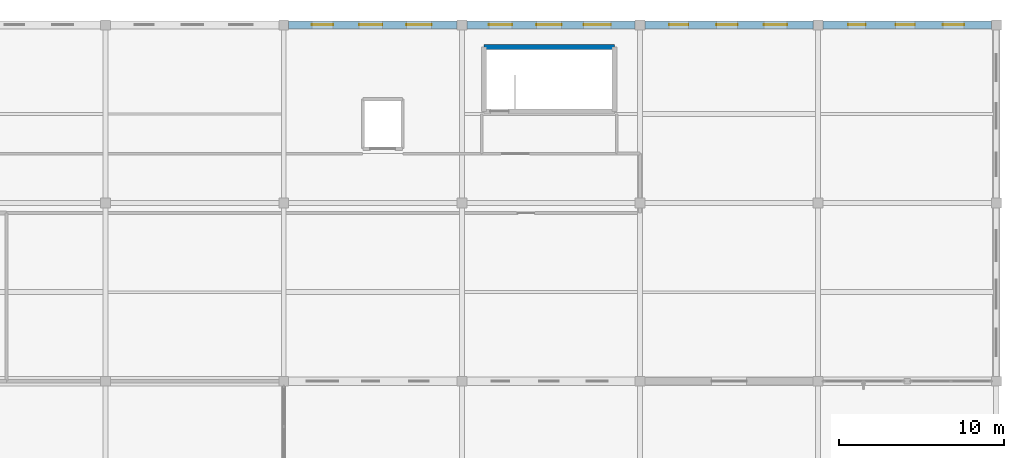
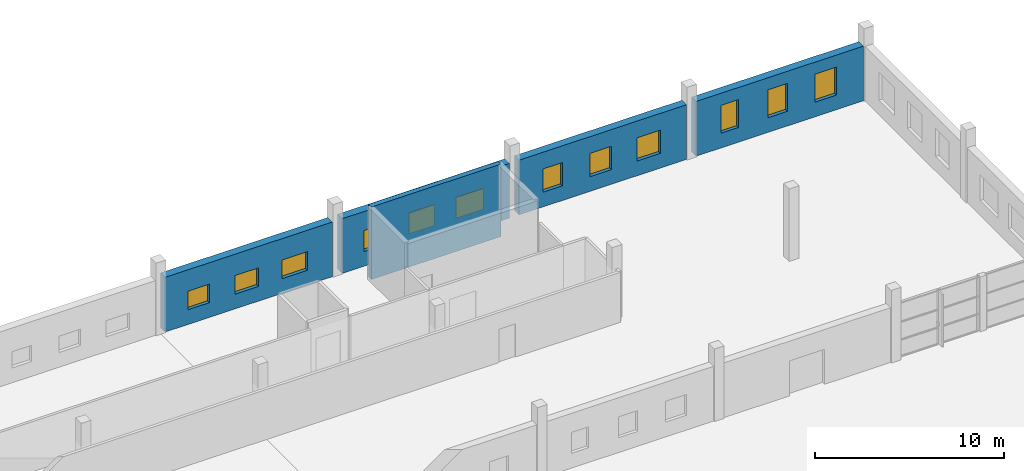
# One storey, part 119 of 142: 12 windows, 5 walls, 12 openings.
"""IFC4 building model written with IfcOpenShell, lengths in metres."""

from ifc_helpers import new_model, si_unit, direction, frame, frame_2d, origin, place, context, subcontext, project, spatial, rectangle, extrude, material, layer, layer_set, type_object, element, fill, save


model = new_model("IFC4")

# Units and contexts
model_context = context("Model", 3, precision=1e-05, world=origin(), true_north=direction((0.0, 1.0)))
body_context = subcontext(model_context, "Body", "Model", "MODEL_VIEW")
ifc_project = project(units=[si_unit("LENGTHUNIT", "METRE"), si_unit("AREAUNIT", "SQUARE_METRE"), si_unit("VOLUMEUNIT", "CUBIC_METRE"), si_unit("PLANEANGLEUNIT", "RADIAN"), si_unit("MASSUNIT", "GRAM", prefix="KILO")], contexts=[model_context])

# Site, building, storey
site_placement = place(None, origin())
site = spatial("IfcSite", under=ifc_project, at=site_placement, CompositionType="ELEMENT")
building_placement = place(site_placement, origin())
building = spatial("IfcBuilding", under=site, at=building_placement, Name="Zwinboog Wholesale Market", CompositionType="ELEMENT")
storey_placement = place(building_placement, frame((0.0, 0.0, 5.39990234375)))
storey = spatial("IfcBuildingStorey", under=building, at=storey_placement, Name="L01", CompositionType="ELEMENT", Elevation=5.39990234375)

# Wall, openings, windows
ifc_material_1 = material(Name="Precast concrete C45/55", Category="concrete")
ifc_layer_1 = layer(ifc_material_1, 0.47998046875)
ifc_layer_set_1 = layer_set([ifc_layer_1], Name="Precast concrete C45/55")
wall_type_1 = type_object("IfcWallType", Name="WT-EW-480", PredefinedType="STANDARD", material=ifc_layer_set_1)
wall_1_placement = place(storey_placement, frame((173.094970703125, 129.60009765625, 0.0), z_axis=(0.0, 0.0, 1.0), x_axis=(1.0, 0.0, 0.0)))
wall_1 = element("IfcWall", 1, at=wall_1_placement, inside=storey, type_object=wall_type_1, Name="EW-06 (WL-EW-L01-173)", PredefinedType="STANDARD", context=body_context, shape_type="SweptSolid", body=[
    extrude(rectangle(XDim=10.2099609375, YDim=0.47998046875, at=frame_2d((5.10498046875, 0.0))), origin(), (0.0, 0.0, 1.0), 3.530029296875),
])
opening_1_placement = place(wall_1_placement, frame((1.405029296875, 0.0, 0.949951171875)))
opening_1 = element("IfcOpeningElement", 2, at=opening_1_placement, cuts=wall_1, Name="Opening WN-19", PredefinedType="OPENING", context=body_context, shape_type="SweptSolid", body=[
    extrude(rectangle(XDim=1.2900390625, YDim=1.199951171875, at=frame_2d((0.64501953125, 0.60009765625))), frame((0.0, 0.25, 0.0), z_axis=(0.0, -1.0, 0.0), x_axis=(1.0, 0.0, 0.0)), (0.0, 0.0, 1.0), 0.5),
])
opening_2_placement = place(wall_1_placement, frame((4.27490234375, 0.0, 0.949951171875)))
opening_2 = element("IfcOpeningElement", 3, at=opening_2_placement, cuts=wall_1, Name="Opening WN-20", PredefinedType="OPENING", context=body_context, shape_type="SweptSolid", body=[
    extrude(rectangle(XDim=1.409912109375, YDim=1.199951171875, at=frame_2d((0.705078125, 0.60009765625))), frame((0.0, 0.25, 0.0), z_axis=(0.0, -1.0, 0.0), x_axis=(1.0, 0.0, 0.0)), (0.0, 0.0, 1.0), 0.5),
])
opening_3_placement = place(wall_1_placement, frame((7.14501953125, 0.0, 0.949951171875)))
opening_3 = element("IfcOpeningElement", 4, at=opening_3_placement, cuts=wall_1, Name="Opening WN-21", PredefinedType="OPENING", context=body_context, shape_type="SweptSolid", body=[
    extrude(rectangle(XDim=1.530029296875, YDim=1.199951171875, at=frame_2d((0.76513671875, 0.60009765625))), frame((0.0, 0.25, 0.0), z_axis=(0.0, -1.0, 0.0), x_axis=(1.0, 0.0, 0.0)), (0.0, 0.0, 1.0), 0.5),
])
ifc_material_2 = material(Name="Thermally broken aluminium low-e window", Category="aluminium")
window_type_1 = type_object("IfcWindowType", Name="WNT-19", PartitioningType="SINGLE_PANEL", PredefinedType="WINDOW", material=ifc_material_2)
window_1_placement = place(opening_1_placement, origin())
window_1 = element("IfcWindow", 5, at=window_1_placement, inside=storey, type_object=window_type_1, Name="WN-19 (WIN-L01-0163)", OverallHeight=1.199951171875, OverallWidth=1.2900390625, PartitioningType="SINGLE_PANEL", PredefinedType="WINDOW", context=body_context, shape_type="SweptSolid", body=[
    extrude(rectangle(XDim=1.2900390625, YDim=1.199951171875, at=frame_2d((0.64501953125, 0.60009765625))), frame((0.0, 0.030029296875, 0.0), z_axis=(0.0, -1.0, 0.0), x_axis=(1.0, 0.0, 0.0)), (0.0, 0.0, 1.0), 0.06005859375),
])
fill(opening_1, window_1)
window_type_2 = type_object("IfcWindowType", Name="WNT-20", PartitioningType="SINGLE_PANEL", PredefinedType="WINDOW", material=ifc_material_2)
window_2_placement = place(opening_2_placement, origin())
window_2 = element("IfcWindow", 6, at=window_2_placement, inside=storey, type_object=window_type_2, Name="WN-20 (WIN-L01-0164)", OverallHeight=1.199951171875, OverallWidth=1.409912109375, PartitioningType="SINGLE_PANEL", PredefinedType="WINDOW", context=body_context, shape_type="SweptSolid", body=[
    extrude(rectangle(XDim=1.409912109375, YDim=1.199951171875, at=frame_2d((0.705078125, 0.60009765625))), frame((0.0, 0.030029296875, 0.0), z_axis=(0.0, -1.0, 0.0), x_axis=(1.0, 0.0, 0.0)), (0.0, 0.0, 1.0), 0.06005859375),
])
fill(opening_2, window_2)
window_type_3 = type_object("IfcWindowType", Name="WNT-21", PartitioningType="SINGLE_PANEL", PredefinedType="WINDOW", material=ifc_material_2)
window_3_placement = place(opening_3_placement, origin())
window_3 = element("IfcWindow", 7, at=window_3_placement, inside=storey, type_object=window_type_3, Name="WN-21 (WIN-L01-0165)", OverallHeight=1.199951171875, OverallWidth=1.530029296875, PartitioningType="SINGLE_PANEL", PredefinedType="WINDOW", context=body_context, shape_type="SweptSolid", body=[
    extrude(rectangle(XDim=1.530029296875, YDim=1.199951171875, at=frame_2d((0.76513671875, 0.60009765625))), frame((0.0, 0.030029296875, 0.0), z_axis=(0.0, -1.0, 0.0), x_axis=(1.0, 0.0, 0.0)), (0.0, 0.0, 1.0), 0.06005859375),
])
fill(opening_3, window_3)

wall_2_placement = place(storey_placement, frame((183.89501953125, 129.60009765625, 0.0), z_axis=(0.0, 0.0, 1.0), x_axis=(1.0, 0.0, 0.0)))
wall_2 = element("IfcWall", 8, at=wall_2_placement, inside=storey, type_object=wall_type_1, Name="EW-06 (WL-EW-L01-177)", PredefinedType="STANDARD", context=body_context, shape_type="SweptSolid", body=[
    extrude(rectangle(XDim=10.2099609375, YDim=0.47998046875, at=frame_2d((5.10498046875, 0.0))), origin(), (0.0, 0.0, 1.0), 3.530029296875),
])
opening_4_placement = place(wall_2_placement, frame((1.344970703125, 0.0, 0.949951171875)))
opening_4 = element("IfcOpeningElement", 9, at=opening_4_placement, cuts=wall_2, Name="Opening WN-28", PredefinedType="OPENING", context=body_context, shape_type="SweptSolid", body=[
    extrude(rectangle(XDim=1.409912109375, YDim=1.35009765625, at=frame_2d((0.705078125, 0.675048828125))), frame((0.0, 0.25, 0.0), z_axis=(0.0, -1.0, 0.0), x_axis=(1.0, 0.0, 0.0)), (0.0, 0.0, 1.0), 0.5),
])
opening_5_placement = place(wall_2_placement, frame((4.215087890625, 0.0, 0.949951171875)))
opening_5 = element("IfcOpeningElement", 10, at=opening_5_placement, cuts=wall_2, Name="Opening WN-29", PredefinedType="OPENING", context=body_context, shape_type="SweptSolid", body=[
    extrude(rectangle(XDim=1.530029296875, YDim=1.35009765625, at=frame_2d((0.76513671875, 0.675048828125))), frame((0.0, 0.25, 0.0), z_axis=(0.0, -1.0, 0.0), x_axis=(1.0, 0.0, 0.0)), (0.0, 0.0, 1.0), 0.5),
])
opening_6_placement = place(wall_2_placement, frame((7.0849609375, 0.0, 0.949951171875)))
opening_6 = element("IfcOpeningElement", 11, at=opening_6_placement, cuts=wall_2, Name="Opening WN-30", PredefinedType="OPENING", context=body_context, shape_type="SweptSolid", body=[
    extrude(rectangle(XDim=1.64990234375, YDim=1.35009765625, at=frame_2d((0.824951171875, 0.675048828125))), frame((0.0, 0.25, 0.0), z_axis=(0.0, -1.0, 0.0), x_axis=(1.0, 0.0, 0.0)), (0.0, 0.0, 1.0), 0.5),
])
window_type_4 = type_object("IfcWindowType", Name="WNT-28", PartitioningType="SINGLE_PANEL", PredefinedType="WINDOW", material=ifc_material_2)
window_4_placement = place(opening_4_placement, origin())
window_4 = element("IfcWindow", 12, at=window_4_placement, inside=storey, type_object=window_type_4, Name="WN-28 (WIN-L01-0172)", OverallHeight=1.35009765625, OverallWidth=1.409912109375, PartitioningType="SINGLE_PANEL", PredefinedType="WINDOW", context=body_context, shape_type="SweptSolid", body=[
    extrude(rectangle(XDim=1.409912109375, YDim=1.35009765625, at=frame_2d((0.705078125, 0.675048828125))), frame((0.0, 0.030029296875, 0.0), z_axis=(0.0, -1.0, 0.0), x_axis=(1.0, 0.0, 0.0)), (0.0, 0.0, 1.0), 0.06005859375),
])
fill(opening_4, window_4)
window_type_5 = type_object("IfcWindowType", Name="WNT-29", PartitioningType="SINGLE_PANEL", PredefinedType="WINDOW", material=ifc_material_2)
window_5_placement = place(opening_5_placement, origin())
window_5 = element("IfcWindow", 13, at=window_5_placement, inside=storey, type_object=window_type_5, Name="WN-29 (WIN-L01-0173)", OverallHeight=1.35009765625, OverallWidth=1.530029296875, PartitioningType="SINGLE_PANEL", PredefinedType="WINDOW", context=body_context, shape_type="SweptSolid", body=[
    extrude(rectangle(XDim=1.530029296875, YDim=1.35009765625, at=frame_2d((0.76513671875, 0.675048828125))), frame((0.0, 0.030029296875, 0.0), z_axis=(0.0, -1.0, 0.0), x_axis=(1.0, 0.0, 0.0)), (0.0, 0.0, 1.0), 0.06005859375),
])
fill(opening_5, window_5)
window_type_6 = type_object("IfcWindowType", Name="WNT-30", PartitioningType="SINGLE_PANEL", PredefinedType="WINDOW", material=ifc_material_2)
window_6_placement = place(opening_6_placement, origin())
window_6 = element("IfcWindow", 14, at=window_6_placement, inside=storey, type_object=window_type_6, Name="WN-30 (WIN-L01-0174)", OverallHeight=1.35009765625, OverallWidth=1.64990234375, PartitioningType="SINGLE_PANEL", PredefinedType="WINDOW", context=body_context, shape_type="SweptSolid", body=[
    extrude(rectangle(XDim=1.64990234375, YDim=1.35009765625, at=frame_2d((0.824951171875, 0.675048828125))), frame((0.0, 0.030029296875, 0.0), z_axis=(0.0, -1.0, 0.0), x_axis=(1.0, 0.0, 0.0)), (0.0, 0.0, 1.0), 0.06005859375),
])
fill(opening_6, window_6)

wall_3_placement = place(storey_placement, frame((194.695068359375, 129.60009765625, 0.0), z_axis=(0.0, 0.0, 1.0), x_axis=(1.0, 0.0, 0.0)))
wall_3 = element("IfcWall", 15, at=wall_3_placement, inside=storey, type_object=wall_type_1, Name="EW-06 (WL-EW-L01-181)", PredefinedType="STANDARD", context=body_context, shape_type="SweptSolid", body=[
    extrude(rectangle(XDim=10.2099609375, YDim=0.47998046875, at=frame_2d((5.10498046875, 0.0))), origin(), (0.0, 0.0, 1.0), 3.530029296875),
])
opening_7_placement = place(wall_3_placement, frame((1.465087890625, 0.0, 0.949951171875)))
opening_7 = element("IfcOpeningElement", 16, at=opening_7_placement, cuts=wall_3, Name="Opening WN-34", PredefinedType="OPENING", context=body_context, shape_type="SweptSolid", body=[
    extrude(rectangle(XDim=1.169921875, YDim=1.5, at=frame_2d((0.5849609375, 0.75))), frame((0.0, 0.25, 0.0), z_axis=(0.0, -1.0, 0.0), x_axis=(1.0, 0.0, 0.0)), (0.0, 0.0, 1.0), 0.5),
])
opening_8_placement = place(wall_3_placement, frame((4.3349609375, 0.0, 0.949951171875)))
opening_8 = element("IfcOpeningElement", 17, at=opening_8_placement, cuts=wall_3, Name="Opening WN-35", PredefinedType="OPENING", context=body_context, shape_type="SweptSolid", body=[
    extrude(rectangle(XDim=1.2900390625, YDim=1.5, at=frame_2d((0.64501953125, 0.75))), frame((0.0, 0.25, 0.0), z_axis=(0.0, -1.0, 0.0), x_axis=(1.0, 0.0, 0.0)), (0.0, 0.0, 1.0), 0.5),
])
opening_9_placement = place(wall_3_placement, frame((7.205078125, 0.0, 0.949951171875)))
opening_9 = element("IfcOpeningElement", 18, at=opening_9_placement, cuts=wall_3, Name="Opening WN-36", PredefinedType="OPENING", context=body_context, shape_type="SweptSolid", body=[
    extrude(rectangle(XDim=1.409912109375, YDim=1.5, at=frame_2d((0.705078125, 0.75))), frame((0.0, 0.25, 0.0), z_axis=(0.0, -1.0, 0.0), x_axis=(1.0, 0.0, 0.0)), (0.0, 0.0, 1.0), 0.5),
])
window_type_7 = type_object("IfcWindowType", Name="WNT-34", PartitioningType="SINGLE_PANEL", PredefinedType="WINDOW", material=ifc_material_2)
window_7_placement = place(opening_7_placement, origin())
window_7 = element("IfcWindow", 19, at=window_7_placement, inside=storey, type_object=window_type_7, Name="WN-34 (WIN-L01-0178)", OverallHeight=1.5, OverallWidth=1.169921875, PartitioningType="SINGLE_PANEL", PredefinedType="WINDOW", context=body_context, shape_type="SweptSolid", body=[
    extrude(rectangle(XDim=1.169921875, YDim=1.5, at=frame_2d((0.5849609375, 0.75))), frame((0.0, 0.030029296875, 0.0), z_axis=(0.0, -1.0, 0.0), x_axis=(1.0, 0.0, 0.0)), (0.0, 0.0, 1.0), 0.06005859375),
])
fill(opening_7, window_7)
window_type_8 = type_object("IfcWindowType", Name="WNT-35", PartitioningType="SINGLE_PANEL", PredefinedType="WINDOW", material=ifc_material_2)
window_8_placement = place(opening_8_placement, origin())
window_8 = element("IfcWindow", 20, at=window_8_placement, inside=storey, type_object=window_type_8, Name="WN-35 (WIN-L01-0179)", OverallHeight=1.5, OverallWidth=1.2900390625, PartitioningType="SINGLE_PANEL", PredefinedType="WINDOW", context=body_context, shape_type="SweptSolid", body=[
    extrude(rectangle(XDim=1.2900390625, YDim=1.5, at=frame_2d((0.64501953125, 0.75))), frame((0.0, 0.030029296875, 0.0), z_axis=(0.0, -1.0, 0.0), x_axis=(1.0, 0.0, 0.0)), (0.0, 0.0, 1.0), 0.06005859375),
])
fill(opening_8, window_8)
window_type_9 = type_object("IfcWindowType", Name="WNT-36", PartitioningType="SINGLE_PANEL", PredefinedType="WINDOW", material=ifc_material_2)
window_9_placement = place(opening_9_placement, origin())
window_9 = element("IfcWindow", 21, at=window_9_placement, inside=storey, type_object=window_type_9, Name="WN-36 (WIN-L01-0180)", OverallHeight=1.5, OverallWidth=1.409912109375, PartitioningType="SINGLE_PANEL", PredefinedType="WINDOW", context=body_context, shape_type="SweptSolid", body=[
    extrude(rectangle(XDim=1.409912109375, YDim=1.5, at=frame_2d((0.705078125, 0.75))), frame((0.0, 0.030029296875, 0.0), z_axis=(0.0, -1.0, 0.0), x_axis=(1.0, 0.0, 0.0)), (0.0, 0.0, 1.0), 0.06005859375),
])
fill(opening_9, window_9)

wall_4_placement = place(storey_placement, frame((205.4951171875, 129.60009765625, 0.0), z_axis=(0.0, 0.0, 1.0), x_axis=(1.0, 0.0, 0.0)))
wall_4 = element("IfcWall", 22, at=wall_4_placement, inside=storey, type_object=wall_type_1, Name="EW-06 (WL-EW-L01-189)", PredefinedType="STANDARD", context=body_context, shape_type="SweptSolid", body=[
    extrude(rectangle(XDim=10.2099609375, YDim=0.47998046875, at=frame_2d((5.10498046875, 0.0))), origin(), (0.0, 0.0, 1.0), 3.530029296875),
])
opening_10_placement = place(wall_4_placement, frame((1.52490234375, 0.0, 0.949951171875)))
opening_10 = element("IfcOpeningElement", 23, at=opening_10_placement, cuts=wall_4, Name="Opening WN-49", PredefinedType="OPENING", context=body_context, shape_type="SweptSolid", body=[
    extrude(rectangle(XDim=1.050048828125, YDim=1.800048828125, at=frame_2d((0.52490234375, 0.89990234375))), frame((0.0, 0.25, 0.0), z_axis=(0.0, -1.0, 0.0), x_axis=(1.0, 0.0, 0.0)), (0.0, 0.0, 1.0), 0.5),
])
opening_11_placement = place(wall_4_placement, frame((4.39501953125, 0.0, 0.949951171875)))
opening_11 = element("IfcOpeningElement", 24, at=opening_11_placement, cuts=wall_4, Name="Opening WN-50", PredefinedType="OPENING", context=body_context, shape_type="SweptSolid", body=[
    extrude(rectangle(XDim=1.169921875, YDim=1.800048828125, at=frame_2d((0.5849609375, 0.89990234375))), frame((0.0, 0.25, 0.0), z_axis=(0.0, -1.0, 0.0), x_axis=(1.0, 0.0, 0.0)), (0.0, 0.0, 1.0), 0.5),
])
opening_12_placement = place(wall_4_placement, frame((7.264892578125, 0.0, 0.949951171875)))
opening_12 = element("IfcOpeningElement", 25, at=opening_12_placement, cuts=wall_4, Name="Opening WN-51", PredefinedType="OPENING", context=body_context, shape_type="SweptSolid", body=[
    extrude(rectangle(XDim=1.2900390625, YDim=1.800048828125, at=frame_2d((0.64501953125, 0.89990234375))), frame((0.0, 0.25, 0.0), z_axis=(0.0, -1.0, 0.0), x_axis=(1.0, 0.0, 0.0)), (0.0, 0.0, 1.0), 0.5),
])
window_type_10 = type_object("IfcWindowType", Name="WNT-49", PartitioningType="SINGLE_PANEL", PredefinedType="WINDOW", material=ifc_material_2)
window_10_placement = place(opening_10_placement, origin())
window_10 = element("IfcWindow", 26, at=window_10_placement, inside=storey, type_object=window_type_10, Name="WN-49 (WIN-L01-0193)", OverallHeight=1.800048828125, OverallWidth=1.050048828125, PartitioningType="SINGLE_PANEL", PredefinedType="WINDOW", context=body_context, shape_type="SweptSolid", body=[
    extrude(rectangle(XDim=1.050048828125, YDim=1.800048828125, at=frame_2d((0.52490234375, 0.89990234375))), frame((0.0, 0.030029296875, 0.0), z_axis=(0.0, -1.0, 0.0), x_axis=(1.0, 0.0, 0.0)), (0.0, 0.0, 1.0), 0.06005859375),
])
fill(opening_10, window_10)
window_type_11 = type_object("IfcWindowType", Name="WNT-50", PartitioningType="SINGLE_PANEL", PredefinedType="WINDOW", material=ifc_material_2)
window_11_placement = place(opening_11_placement, origin())
window_11 = element("IfcWindow", 27, at=window_11_placement, inside=storey, type_object=window_type_11, Name="WN-50 (WIN-L01-0194)", OverallHeight=1.800048828125, OverallWidth=1.169921875, PartitioningType="SINGLE_PANEL", PredefinedType="WINDOW", context=body_context, shape_type="SweptSolid", body=[
    extrude(rectangle(XDim=1.169921875, YDim=1.800048828125, at=frame_2d((0.5849609375, 0.89990234375))), frame((0.0, 0.030029296875, 0.0), z_axis=(0.0, -1.0, 0.0), x_axis=(1.0, 0.0, 0.0)), (0.0, 0.0, 1.0), 0.06005859375),
])
fill(opening_11, window_11)
window_type_12 = type_object("IfcWindowType", Name="WNT-51", PartitioningType="SINGLE_PANEL", PredefinedType="WINDOW", material=ifc_material_2)
window_12_placement = place(opening_12_placement, origin())
window_12 = element("IfcWindow", 28, at=window_12_placement, inside=storey, type_object=window_type_12, Name="WN-51 (WIN-L01-0195)", OverallHeight=1.800048828125, OverallWidth=1.2900390625, PartitioningType="SINGLE_PANEL", PredefinedType="WINDOW", context=body_context, shape_type="SweptSolid", body=[
    extrude(rectangle(XDim=1.2900390625, YDim=1.800048828125, at=frame_2d((0.64501953125, 0.89990234375))), frame((0.0, 0.030029296875, 0.0), z_axis=(0.0, -1.0, 0.0), x_axis=(1.0, 0.0, 0.0)), (0.0, 0.0, 1.0), 0.06005859375),
])
fill(opening_12, window_12)

# Wall
ifc_material_3 = material(Name="Concrete C40/50", Category="concrete")
ifc_layer_2 = layer(ifc_material_3, 0.300048828125)
ifc_layer_set_2 = layer_set([ifc_layer_2], Name="Concrete C40/50")
wall_type_2 = type_object("IfcWallType", Name="WT-SW-300", PredefinedType="SHEAR", material=ifc_layer_set_2)
wall_5_placement = place(storey_placement, frame((184.949951171875, 128.25, 0.0), z_axis=(0.0, 0.0, 1.0), x_axis=(1.0, 0.0, 0.0)))
element("IfcWall", 29, at=wall_5_placement, inside=storey, type_object=wall_type_2, Name="SW-02 (WL-SW-L01-038)", PredefinedType="SHEAR", context=body_context, shape_type="SweptSolid", body=[
    extrude(rectangle(XDim=7.900146484375, YDim=0.300048828125, at=frame_2d((3.9501953125, 0.0))), origin(), (0.0, 0.0, 1.0), 4.68017578125),
])

save(model, "model.ifc")
